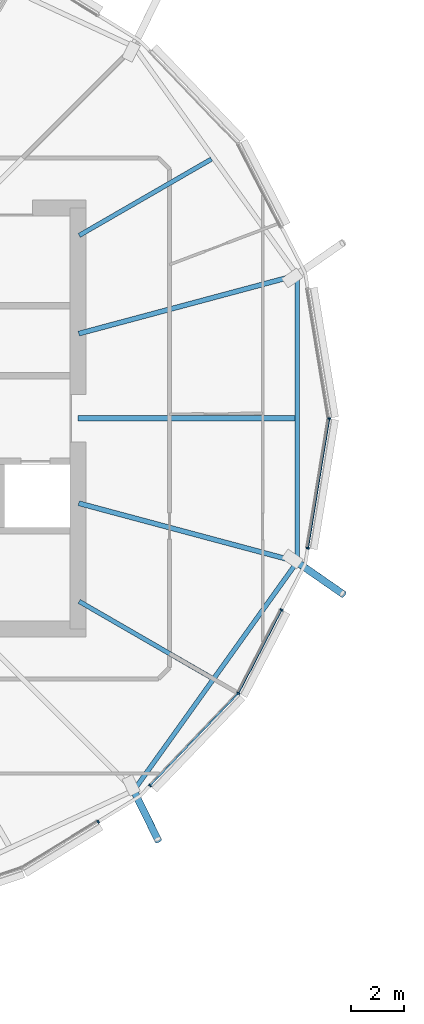
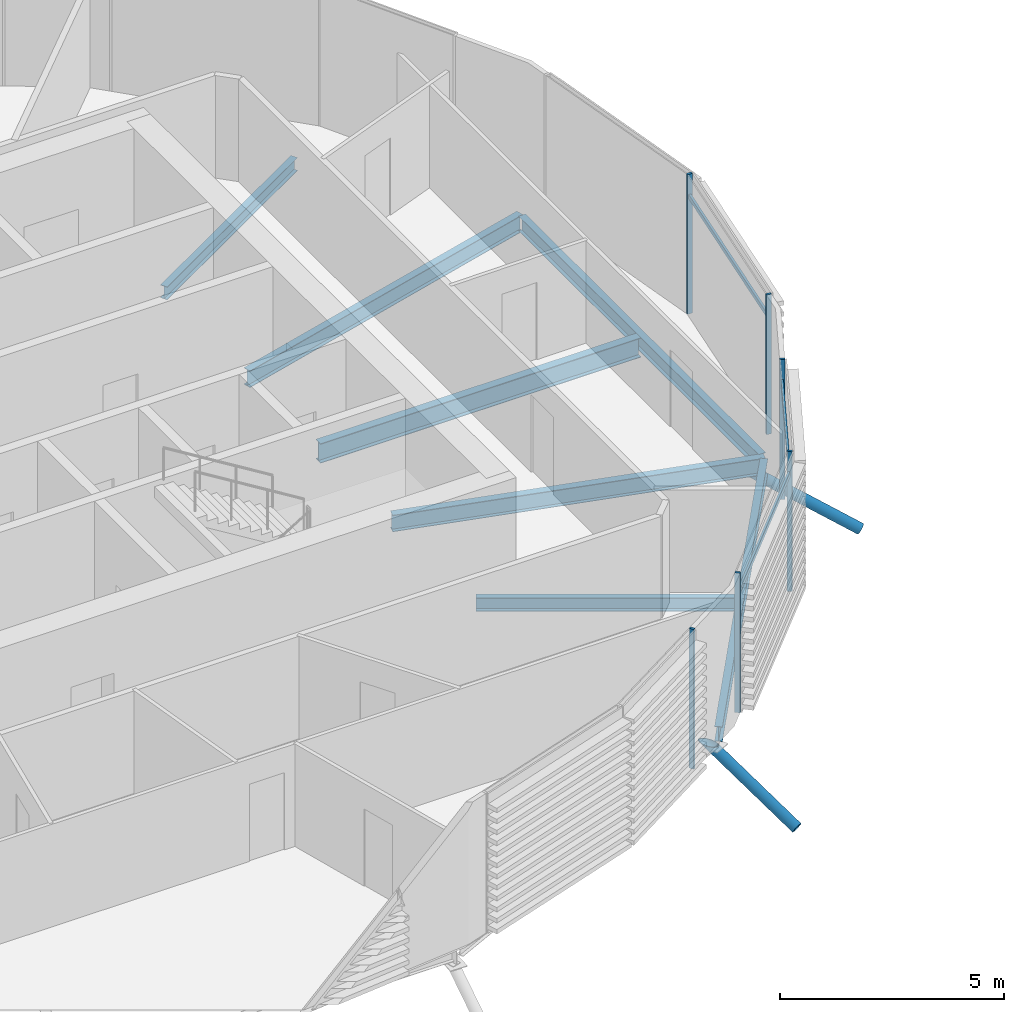
# One storey, part 6 of 35: 11 members, 7 beams, 1 element without a shape of its own.
"""IFC4 building model written with IfcOpenShell, lengths in metres."""

from ifc_helpers import new_model, si_unit, direction, frame, origin, origin_2d, place, context, subcontext, project, spatial, rectangle, hollow_circle, i_section, extrude, clip, halfspace, material, material_profile, profile_set, type_object, element, aggregate, save


model = new_model("IFC4")

# Units and contexts
model_context = context("Model", 3, precision=1e-05, world=origin(), true_north=direction((0.0, 1.0)))
body_context = subcontext(model_context, "Body", "Model", "MODEL_VIEW")
ifc_project = project(units=[si_unit("LENGTHUNIT", "METRE"), si_unit("AREAUNIT", "SQUARE_METRE"), si_unit("VOLUMEUNIT", "CUBIC_METRE"), si_unit("PLANEANGLEUNIT", "RADIAN"), si_unit("MASSUNIT", "GRAM", prefix="KILO")], contexts=[model_context])

# Site, building, storey
site_placement = place(None, origin())
site = spatial("IfcSite", under=ifc_project, at=site_placement, CompositionType="ELEMENT")
building_placement = place(site_placement, origin())
building = spatial("IfcBuilding", under=site, at=building_placement, Name="Rimbun Link Towers", CompositionType="ELEMENT")
storey_placement = place(building_placement, frame((0.0, 0.0, 196.89990234375)))
storey = spatial("IfcBuildingStorey", under=building, at=storey_placement, Name="L48", CompositionType="ELEMENT", Elevation=196.89990234375)

# Curtain wall, members
ifc_material_1 = material(Name="Aluminium 6063-T6 and low-iron glass", Category="aluminium")
curtain_wall_type = type_object("IfcCurtainWallType", Name="CW1-Z3 unitised vision wall (zone 3)", PredefinedType="NOTDEFINED", material=ifc_material_1)
curtain_wall_placement = place(storey_placement, origin())
curtain_wall = element("IfcCurtainWall", 1, at=curtain_wall_placement, inside=storey, type_object=curtain_wall_type, Name="CW1 L48 T1", PredefinedType="NOTDEFINED")
ifc_material_2 = material(Name="Aluminium 6063-T6", Category="aluminium")
ifc_material_profile_1 = material_profile(ifc_material_2, rectangle(XDim=0.1201171875, YDim=0.06005859375, at=origin_2d()), Name="MULLION 60X120")
ifc_profile_set_1 = profile_set([ifc_material_profile_1], Name="Aluminium 6063-T6")
member_type_1 = type_object("IfcMemberType", Name="CW1 mullion 60X120", PredefinedType="MULLION", material=ifc_profile_set_1)
member_1_placement = place(storey_placement, frame((-10.20654296875, 0.0, 0.0), z_axis=(0.0, 0.0, 1.0), x_axis=(1.0, 0.0, 0.0)))
member_1 = element("IfcMember", 2, at=member_1_placement, type_object=member_type_1, Name="CW1 mullion", PredefinedType="MULLION", context=body_context, shape_type="SweptSolid", body=[
    extrude(rectangle(XDim=0.1201171875, YDim=0.06005859375, at=origin_2d()), origin(), (0.0, 0.0, 1.0), 3.800048828125),
])
member_2_placement = place(storey_placement, frame((-18.98681640625, -15.327392578125, 0.0), z_axis=(0.0, 0.0, 1.0), x_axis=(0.523229231966, -0.852191980023, 0.0)))
member_2 = element("IfcMember", 3, at=member_2_placement, type_object=member_type_1, Name="CW1 mullion", PredefinedType="MULLION", context=body_context, shape_type="SweptSolid", body=[
    extrude(rectangle(XDim=0.1201171875, YDim=0.06005859375, at=origin_2d()), origin(), (0.0, 0.0, 1.0), 3.800048828125),
])
member_3_placement = place(storey_placement, frame((-13.660888671875, -10.450439453125, 0.0), z_axis=(0.0, 0.0, 1.0), x_axis=(0.813350615069, -0.581773819423, 0.0)))
member_3 = element("IfcMember", 4, at=member_3_placement, type_object=member_type_1, Name="CW1 mullion", PredefinedType="MULLION", context=body_context, shape_type="SweptSolid", body=[
    extrude(rectangle(XDim=0.1201171875, YDim=0.06005859375, at=origin_2d()), origin(), (0.0, 0.0, 1.0), 3.800048828125),
])
member_4_placement = place(storey_placement, frame((-17.017578125, -13.952880859375, 0.0), z_axis=(0.0, 0.0, 1.0), x_axis=(0.721858505917, -0.692040676143, 0.0)))
member_4 = element("IfcMember", 5, at=member_4_placement, type_object=member_type_1, Name="CW1 mullion", PredefinedType="MULLION", context=body_context, shape_type="SweptSolid", body=[
    extrude(rectangle(XDim=0.1201171875, YDim=0.06005859375, at=origin_2d()), origin(), (0.0, 0.0, 1.0), 3.800048828125),
])
member_5_placement = place(storey_placement, frame((-12.015869140625, -7.27294921875, 0.0), z_axis=(0.0, 0.0, 1.0), x_axis=(0.888144973035, -0.459563387219, 0.0)))
member_5 = element("IfcMember", 6, at=member_5_placement, type_object=member_type_1, Name="CW1 mullion", PredefinedType="MULLION", context=body_context, shape_type="SweptSolid", body=[
    extrude(rectangle(XDim=0.1201171875, YDim=0.06005859375, at=origin_2d()), origin(), (0.0, 0.0, 1.0), 3.800048828125),
])
member_6_placement = place(storey_placement, frame((-11.0166015625, -4.931396484375, 0.0), z_axis=(0.0, 0.0, 1.0), x_axis=(0.986749518868, -0.162251000037, 0.0)))
member_6 = element("IfcMember", 7, at=member_6_placement, type_object=member_type_1, Name="CW1 mullion", PredefinedType="MULLION", context=body_context, shape_type="SweptSolid", body=[
    extrude(rectangle(XDim=0.1201171875, YDim=0.06005859375, at=origin_2d()), origin(), (0.0, 0.0, 1.0), 3.800048828125),
])
ifc_material_3 = material(Name="Aluminium 6063-T6", Category="aluminium")
ifc_material_profile_2 = material_profile(ifc_material_3, rectangle(XDim=0.06005859375, YDim=0.1201171875, at=origin_2d()), Name="TRANSOM 60X120")
ifc_profile_set_2 = profile_set([ifc_material_profile_2], Name="Aluminium 6063-T6")
member_type_2 = type_object("IfcMemberType", Name="CW1 transom 60X120", PredefinedType="USERDEFINED", material=ifc_profile_set_2)
member_7_placement = place(storey_placement, frame((-13.6884765625, -10.477294921875, 3.2001953125), z_axis=(-0.692018439281, -0.721879823582, 0.0), x_axis=(0.721879823582, -0.692018439281, 0.0)))
member_7 = element("IfcMember", 8, at=member_7_placement, type_object=member_type_2, Name="CW1 transom", ObjectType="TRANSOM", PredefinedType="USERDEFINED", context=body_context, shape_type="SweptSolid", body=[
    extrude(rectangle(XDim=0.06005859375, YDim=0.1201171875, at=origin_2d()), origin(), (0.0, 0.0, 1.0), 4.782958984375),
])
member_8_placement = place(storey_placement, frame((-12.031494140625, -7.298828125, 3.2001953125), z_axis=(-0.45958189222, -0.888135397529, 0.0), x_axis=(0.888135397529, -0.45958189222, 0.0)))
member_8 = element("IfcMember", 9, at=member_8_placement, type_object=member_type_2, Name="CW1 transom", ObjectType="TRANSOM", PredefinedType="USERDEFINED", context=body_context, shape_type="SweptSolid", body=[
    extrude(rectangle(XDim=0.06005859375, YDim=0.1201171875, at=origin_2d()), origin(), (0.0, 0.0, 1.0), 3.50927734375),
])
member_9_placement = place(storey_placement, frame((-10.214111328125, -0.0390625, 3.2001953125), z_axis=(-0.162261450417, -0.986747800458, 0.0), x_axis=(0.986747800458, -0.162261450417, 0.0)))
member_9 = element("IfcMember", 10, at=member_9_placement, type_object=member_type_2, Name="CW1 transom", ObjectType="TRANSOM", PredefinedType="USERDEFINED", context=body_context, shape_type="SweptSolid", body=[
    extrude(rectangle(XDim=0.06005859375, YDim=0.1201171875, at=origin_2d()), origin(), (0.0, 0.0, 1.0), 4.927490234375),
])
aggregate(curtain_wall, [member_1, member_2, member_3, member_4, member_5, member_6, member_7, member_8, member_9])

# Members
ifc_material_4 = material(Name="Steel S355J2H", Category="steel")
ifc_material_profile_3 = material_profile(ifc_material_4, hollow_circle(Radius=0.136474609375, WallThickness=0.012451171875, at=origin_2d()), Name="CHS 273x12.5")
ifc_profile_set_3 = profile_set([ifc_material_profile_3], Name="Steel S355J2H")
member_type_3 = type_object("IfcMemberType", Name="Floor edge link CHS 273x12.5", PredefinedType="BRACE", material=ifc_profile_set_3)
member_10_placement = place(storey_placement, frame((-17.65869140625, -14.09130859375, -0.720458984375), z_axis=(0.379863534598, -0.77406519802, -0.506484712797), x_axis=(0.897728209918, 0.440549726044, 0.0)))
element("IfcMember", 11, at=member_10_placement, inside=storey, type_object=member_type_3, Name="Floor edge link T1 L48 21", PredefinedType="BRACE", context=body_context, shape_type="Clipping", body=[
    clip(extrude(hollow_circle(Radius=0.136474609375, WallThickness=0.012451171875, at=origin_2d()), frame((0.0, 0.0, -0.484619140625)), (0.0, 0.0, 1.0), 3.004638671875), halfspace(frame((0.0, 0.0, -0.227294921875), z_axis=(0.0, 0.862248940679, -0.506484712797)), False)),
])
member_11_placement = place(storey_placement, frame((-11.468505859375, -5.434326171875, -0.720703125), z_axis=(0.709658424053, -0.492337551647, -0.503972872691), x_axis=(0.570020199736, 0.821630678525, 0.0)))
element("IfcMember", 12, at=member_11_placement, inside=storey, type_object=member_type_3, Name="Floor edge link T1 L48 23", PredefinedType="BRACE", context=body_context, shape_type="Clipping", body=[
    clip(extrude(hollow_circle(Radius=0.136474609375, WallThickness=0.012451171875, at=origin_2d()), frame((0.0, 0.0, -0.48779296875)), (0.0, 0.0, 1.0), 3.026611328125), halfspace(frame((0.0, 0.0, -0.22900390625), z_axis=(0.0, 0.863719482003, -0.503972872691)), False)),
])

# Beams
ifc_material_5 = material(Name="Steel S355J2", Category="steel")
ifc_material_profile_4 = material_profile(ifc_material_5, i_section(OverallWidth=0.17138671875, OverallDepth=0.35498046875, WebThickness=0.00732421875, FlangeThickness=0.011474609375, at=origin_2d()), Name="UB 356x171x51")
ifc_profile_set_4 = profile_set([ifc_material_profile_4], Name="Steel S355J2")
beam_type_1 = type_object("IfcBeamType", Name="UB 356x171x51", PredefinedType="BEAM", material=ifc_profile_set_4)
for number, where, z_axis, x_axis, name in (
    (13, (-19.706298828125, 6.95361328125, -0.327392578125), (0.866028645513, 0.499994385119, 0.0), (-0.499994385119, 0.866028645513, 0.0), "Radial beam T1 L48 02"),
    (14, (-19.706298828125, -6.95361328125, -0.327392578125), (0.866028645513, -0.499994385119, 0.0), (0.499994385119, 0.866028645513, 0.0), "Radial beam T1 L48 22"),
):
    element("IfcBeam", number, at=place(storey_placement, frame(where, z_axis=z_axis, x_axis=x_axis)), inside=storey, type_object=beam_type_1, Name=name, PredefinedType="BEAM", context=body_context, shape_type="SweptSolid", body=[
        extrude(i_section(OverallWidth=0.17138671875, OverallDepth=0.35498046875, WebThickness=0.00732421875, FlangeThickness=0.011474609375, at=origin_2d()), origin(), (0.0, 0.0, 1.0), 5.802734375),
    ])
ifc_material_6 = material(Name="Steel S355J2", Category="steel")
ifc_material_profile_5 = material_profile(ifc_material_6, i_section(OverallWidth=0.177978515625, OverallDepth=0.406494140625, WebThickness=0.0078125, FlangeThickness=0.0126953125, at=origin_2d()), Name="UB 406x178x60")
ifc_profile_set_5 = profile_set([ifc_material_profile_5], Name="Steel S355J2")
beam_type_2 = type_object("IfcBeamType", Name="UB 406x178x60", PredefinedType="BEAM", material=ifc_profile_set_5)
beam_1_placement = place(storey_placement, frame((-17.56689453125, -14.047607421875, -0.35302734375), z_axis=(0.581460981446, 0.813574291049, 0.0), x_axis=(-0.813574291049, 0.581460981446, 0.0)))
element("IfcBeam", 15, at=beam_1_placement, inside=storey, type_object=beam_type_2, Name="Edge beam T1 L48 21-23", PredefinedType="BEAM", context=body_context, shape_type="SweptSolid", body=[
    extrude(i_section(OverallWidth=0.177978515625, OverallDepth=0.406494140625, WebThickness=0.0078125, FlangeThickness=0.0126953125, at=origin_2d()), origin(), (0.0, 0.0, 1.0), 10.46875),
])
beam_2_placement = place(storey_placement, frame((-11.42041015625, -5.347900390625, -0.35302734375), z_axis=(0.0, 1.0, 0.0), x_axis=(-1.0, 0.0, 0.0)))
element("IfcBeam", 16, at=beam_2_placement, inside=storey, type_object=beam_type_2, Name="Edge beam T1 L48 23-01", PredefinedType="BEAM", context=body_context, shape_type="SweptSolid", body=[
    extrude(i_section(OverallWidth=0.177978515625, OverallDepth=0.406494140625, WebThickness=0.0078125, FlangeThickness=0.0126953125, at=origin_2d()), origin(), (0.0, 0.0, 1.0), 10.69580078125),
])
ifc_material_7 = material(Name="Steel S355J2", Category="steel")
ifc_material_profile_6 = material_profile(ifc_material_7, i_section(OverallWidth=0.18994140625, OverallDepth=0.453369140625, WebThickness=0.008544921875, FlangeThickness=0.0126953125, at=origin_2d()), Name="UB 457x191x67")
ifc_profile_set_6 = profile_set([ifc_material_profile_6], Name="Steel S355J2")
beam_type_3 = type_object("IfcBeamType", Name="UB 457x191x67", PredefinedType="BEAM", material=ifc_profile_set_6)
for number, where, z_axis, x_axis, name in (
    (17, (-19.724609375, 3.22216796875, -0.376708984375), (0.965925995479, 0.258818413677, 0.0), (-0.258818413677, 0.965925995479, 0.0), "Radial beam T1 L48 01"),
    (18, (-19.724609375, -3.22216796875, -0.376708984375), (0.965925995479, -0.258818413677, 0.0), (0.258818413677, 0.965925995479, 0.0), "Radial beam T1 L48 23"),
):
    element("IfcBeam", number, at=place(storey_placement, frame(where, z_axis=z_axis, x_axis=x_axis)), inside=storey, type_object=beam_type_3, Name=name, PredefinedType="BEAM", context=body_context, shape_type="SweptSolid", body=[
        extrude(i_section(OverallWidth=0.18994140625, OverallDepth=0.453369140625, WebThickness=0.008544921875, FlangeThickness=0.0126953125, at=origin_2d()), origin(), (0.0, 0.0, 1.0), 8.59716796875),
    ])
ifc_material_8 = material(Name="Steel S355J2", Category="steel")
ifc_material_profile_7 = material_profile(ifc_material_8, i_section(OverallWidth=0.209228515625, OverallDepth=0.533203125, WebThickness=0.010009765625, FlangeThickness=0.015625, at=origin_2d()), Name="UB 533x210x92")
ifc_profile_set_7 = profile_set([ifc_material_profile_7], Name="Steel S355J2")
beam_type_4 = type_object("IfcBeamType", Name="UB 533x210x92", PredefinedType="BEAM", material=ifc_profile_set_7)
beam_3_placement = place(storey_placement, frame((-19.7490234375, 0.0, -0.41650390625), z_axis=(1.0, 0.0, 0.0), x_axis=(0.0, 1.0, 0.0)))
element("IfcBeam", 19, at=beam_3_placement, inside=storey, type_object=beam_type_4, Name="Radial beam T1 L48 00", PredefinedType="BEAM", context=body_context, shape_type="SweptSolid", body=[
    extrude(i_section(OverallWidth=0.209228515625, OverallDepth=0.533203125, WebThickness=0.010009765625, FlangeThickness=0.015625, at=origin_2d()), origin(), (0.0, 0.0, 1.0), 8.23876953125),
])

save(model, "model.ifc")
